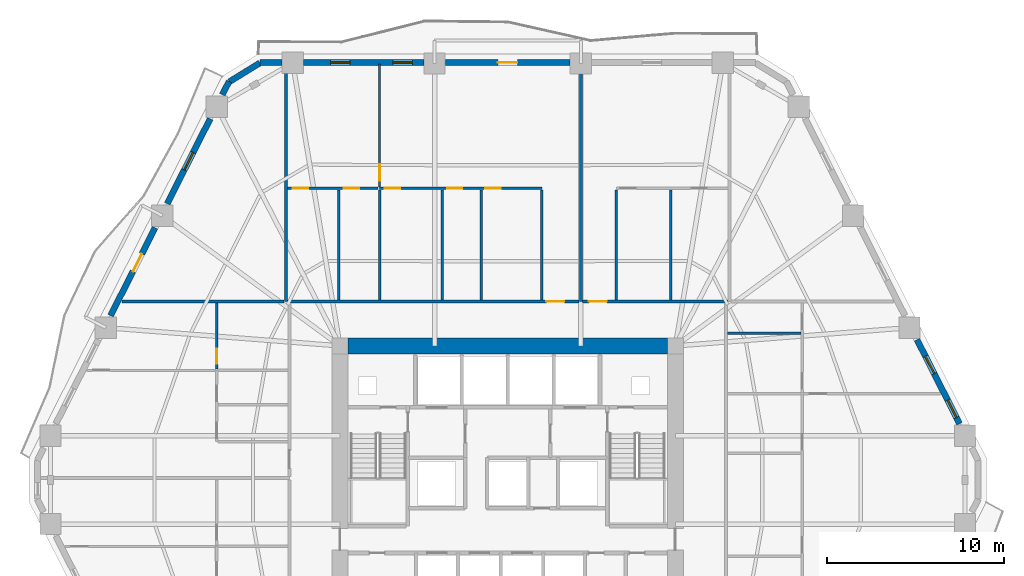
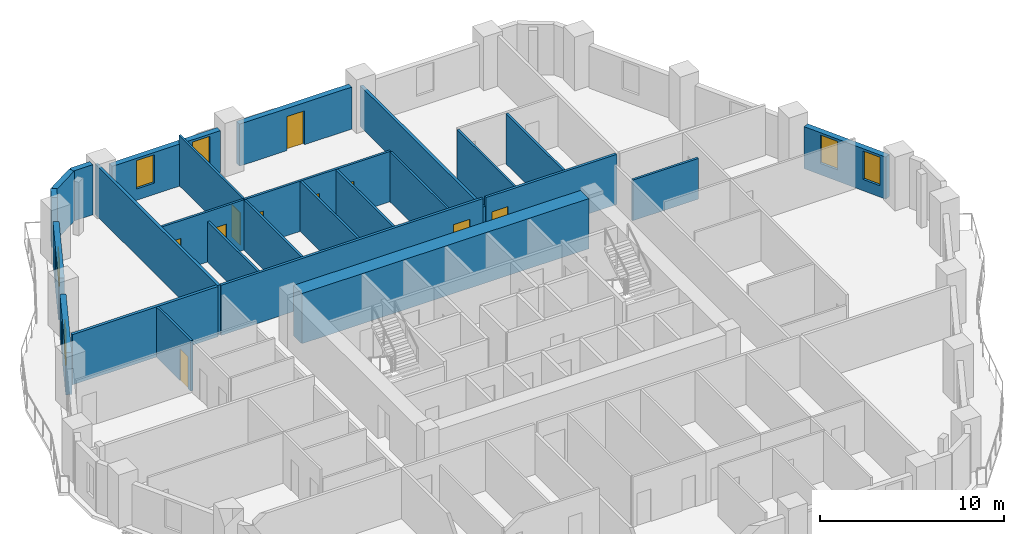
# One storey, part 7 of 12: 26 walls, 11 doors, 5 windows, 16 openings.
"""IFC4 building model written with IfcOpenShell, lengths in metres."""

from ifc_helpers import new_model, si_unit, direction, frame, frame_2d, origin, place, context, subcontext, project, spatial, rectangle, extrude, material, layer, layer_set, type_object, element, fill, save


model = new_model("IFC4")

# Units and contexts
model_context = context("Model", 3, precision=1e-05, world=origin(), true_north=direction((0.0, 1.0)))
body_context = subcontext(model_context, "Body", "Model", "MODEL_VIEW")
ifc_project = project(units=[si_unit("LENGTHUNIT", "METRE"), si_unit("AREAUNIT", "SQUARE_METRE"), si_unit("VOLUMEUNIT", "CUBIC_METRE"), si_unit("PLANEANGLEUNIT", "RADIAN"), si_unit("MASSUNIT", "GRAM", prefix="KILO")], contexts=[model_context])

# Site, building, storey
site_placement = place(None, origin())
site = spatial("IfcSite", under=ifc_project, at=site_placement, CompositionType="ELEMENT")
building_placement = place(site_placement, origin())
building = spatial("IfcBuilding", under=site, at=building_placement, Name="Cinnabar Lancet Tower", CompositionType="ELEMENT")
storey_placement = place(building_placement, frame((0.0, 0.0, 28.449951171875)))
storey = spatial("IfcBuildingStorey", under=building, at=storey_placement, Name="L06", CompositionType="ELEMENT", Elevation=28.449951171875)

# Wall, opening, door
ifc_material_1 = material(Name="Acoustic twin-stud gypsum partition", Category="gypsum")
ifc_layer_1 = layer(ifc_material_1, 0.159912109375)
ifc_layer_set_1 = layer_set([ifc_layer_1], Name="Acoustic twin-stud gypsum partition")
wall_type_1 = type_object("IfcWallType", Name="ARC-WL-CORR-160", PredefinedType="PARTITIONING", material=ifc_layer_set_1)
wall_1_placement = place(storey_placement, frame((19.9951171875, 35.85009765625, 0.0), z_axis=(0.0, 0.0, 1.0), x_axis=(1.0, 0.0, 0.0)))
wall_1 = element("IfcWall", 1, at=wall_1_placement, inside=storey, type_object=wall_type_1, Name="L06 Unit N01 Corridor Wall", PredefinedType="PARTITIONING", context=body_context, shape_type="SweptSolid", body=[
    extrude(rectangle(XDim=16.431884765625, YDim=0.159912109375, at=frame_2d((8.2158203125, 0.0))), origin(), (0.0, 0.0, 1.0), 3.330078125),
])
opening_1_placement = place(wall_1_placement, frame((14.576904296875, 0.0, 0.0)))
opening_1 = element("IfcOpeningElement", 2, at=opening_1_placement, cuts=wall_1, Name="Opening UD-01", PredefinedType="OPENING", context=body_context, shape_type="SweptSolid", body=[
    extrude(rectangle(XDim=1.02001953125, YDim=2.25, at=frame_2d((0.510009765625, 1.125))), frame((0.0, 0.08984375, 0.0), z_axis=(0.0, -1.0, 0.0), x_axis=(1.0, 0.0, 0.0)), (0.0, 0.0, 1.0), 0.179931640625),
])
ifc_material_2 = material(Name="Solid timber fire-rated apartment entrance door", Category="wood")
door_type_1 = type_object("IfcDoorType", Name="ARC-DR-UNIT", OperationType="NOTDEFINED", PredefinedType="DOOR", material=ifc_material_2)
door_1_placement = place(opening_1_placement, origin())
door_1 = element("IfcDoor", 3, at=door_1_placement, inside=storey, type_object=door_type_1, Name="DR-L06-N01-ENT", OperationType="SINGLE_SWING_LEFT", OverallHeight=2.25, OverallWidth=1.02001953125, PredefinedType="DOOR", context=body_context, shape_type="SweptSolid", body=[
    extrude(rectangle(XDim=1.02001953125, YDim=2.25, at=frame_2d((0.510009765625, 1.125))), frame((0.0, 0.02490234375, 0.0), z_axis=(0.0, -1.0, 0.0), x_axis=(1.0, 0.0, 0.0)), (0.0, 0.0, 1.0), 0.050048828125),
])
fill(opening_1, door_1)

wall_2_placement = place(storey_placement, frame((36.616943359375, 35.85009765625, 0.0), z_axis=(0.0, 0.0, 1.0), x_axis=(1.0, 0.0, 0.0)))
wall_2 = element("IfcWall", 4, at=wall_2_placement, inside=storey, type_object=wall_type_1, Name="L06 Unit N02 Corridor Wall", PredefinedType="PARTITIONING", context=body_context, shape_type="SweptSolid", body=[
    extrude(rectangle(XDim=8.18798828125, YDim=0.159912109375, at=frame_2d((4.093994140625, 0.0))), origin(), (0.0, 0.0, 1.0), 3.330078125),
])
opening_2_placement = place(wall_2_placement, frame((0.35498046875, 0.0, 0.0)))
opening_2 = element("IfcOpeningElement", 5, at=opening_2_placement, cuts=wall_2, Name="Opening UD-01", PredefinedType="OPENING", context=body_context, shape_type="SweptSolid", body=[
    extrude(rectangle(XDim=1.02001953125, YDim=2.25, at=frame_2d((0.510009765625, 1.125))), frame((0.0, 0.08984375, 0.0), z_axis=(0.0, -1.0, 0.0), x_axis=(1.0, 0.0, 0.0)), (0.0, 0.0, 1.0), 0.179931640625),
])
door_2_placement = place(opening_2_placement, origin())
door_2 = element("IfcDoor", 6, at=door_2_placement, inside=storey, type_object=door_type_1, Name="DR-L06-N02-ENT", OperationType="SINGLE_SWING_RIGHT", OverallHeight=2.25, OverallWidth=1.02001953125, PredefinedType="DOOR", context=body_context, shape_type="SweptSolid", body=[
    extrude(rectangle(XDim=1.02001953125, YDim=2.25, at=frame_2d((0.510009765625, 1.125))), frame((0.0, 0.02490234375, 0.0), z_axis=(0.0, -1.0, 0.0), x_axis=(1.0, 0.0, 0.0)), (0.0, 0.0, 1.0), 0.050048828125),
])
fill(opening_2, door_2)

# Walls
ifc_material_3 = material(Name="Fire-rated twin-frame acoustic drywall", Category="gypsum")
ifc_layer_2 = layer(ifc_material_3, 0.179931640625)
ifc_layer_set_2 = layer_set([ifc_layer_2], Name="Fire-rated twin-frame acoustic drywall")
wall_type_2 = type_object("IfcWallType", Name="ARC-WL-PARTY-180", PredefinedType="PARTITIONING", material=ifc_layer_set_2)
wall_3_placement = place(storey_placement, frame((19.89990234375, 35.85009765625, 0.0), z_axis=(0.0, 0.0, 1.0), x_axis=(0.0, 1.0, 0.0)))
element("IfcWall", 7, at=wall_3_placement, inside=storey, type_object=wall_type_2, Name="PW-L06-NPTY-199", PredefinedType="PARTITIONING", context=body_context, shape_type="SweptSolid", body=[
    extrude(rectangle(XDim=13.294921875, YDim=0.179931640625, at=frame_2d((6.6474609375, 0.0))), origin(), (0.0, 0.0, 1.0), 3.330078125),
])
wall_4_placement = place(storey_placement, frame((36.52197265625, 35.85009765625, 0.0), z_axis=(0.0, 0.0, 1.0), x_axis=(0.0, 1.0, 0.0)))
element("IfcWall", 8, at=wall_4_placement, inside=storey, type_object=wall_type_2, Name="PW-L06-NPTY-365", PredefinedType="PARTITIONING", context=body_context, shape_type="SweptSolid", body=[
    extrude(rectangle(XDim=13.294921875, YDim=0.179931640625, at=frame_2d((6.6474609375, 0.0))), origin(), (0.0, 0.0, 1.0), 2.699951171875),
])
wall_5_placement = place(storey_placement, frame((10.6650390625, 35.85009765625, 0.0), z_axis=(0.0, 0.0, 1.0), x_axis=(1.0, 0.0, 0.0)))
element("IfcWall", 9, at=wall_5_placement, inside=storey, type_object=wall_type_2, Name="PW-L06-WNB", PredefinedType="PARTITIONING", context=body_context, shape_type="SweptSolid", body=[
    extrude(rectangle(XDim=9.139892578125, YDim=0.179931640625, at=frame_2d((4.56982421875, 0.0))), origin(), (0.0, 0.0, 1.0), 3.330078125),
])
ifc_material_4 = material(Name="Gypsum plasterboard stud partition", Category="gypsum")
ifc_layer_3 = layer(ifc_material_4, 0.125)
ifc_layer_set_3 = layer_set([ifc_layer_3], Name="Gypsum plasterboard stud partition")
wall_type_3 = type_object("IfcWallType", Name="ARC-WL-UNIT-125", PredefinedType="PARTITIONING", material=ifc_layer_set_3)
wall_6_placement = place(storey_placement, frame((34.322021484375, 35.93505859375, 0.0), z_axis=(0.0, 0.0, 1.0), x_axis=(0.0, 1.0, 0.0)))
element("IfcWall", 10, at=wall_6_placement, inside=storey, type_object=wall_type_3, Name="UW-L06-N01-FOYW", PredefinedType="PARTITIONING", context=body_context, shape_type="SweptSolid", body=[
    extrude(rectangle(XDim=6.19189453125, YDim=0.125, at=frame_2d((3.095947265625, 0.0))), origin(), (0.0, 0.0, 1.0), 3.330078125),
])

# Wall, opening, door
wall_7_placement = place(storey_placement, frame((25.179931640625, 42.306884765625, 0.0), z_axis=(0.0, 0.0, 1.0), x_axis=(0.0, 1.0, 0.0)))
wall_7 = element("IfcWall", 11, at=wall_7_placement, inside=storey, type_object=wall_type_3, Name="UW-L06-N01-MBW", PredefinedType="PARTITIONING", context=body_context, shape_type="SweptSolid", body=[
    extrude(rectangle(XDim=6.92822265625, YDim=0.125, at=frame_2d((3.464111328125, 0.0))), origin(), (0.0, 0.0, 1.0), 3.330078125),
])
opening_3_placement = place(wall_7_placement, frame((0.35009765625, 0.0, 0.0)))
opening_3 = element("IfcOpeningElement", 12, at=opening_3_placement, cuts=wall_7, Name="Opening RD-01", PredefinedType="OPENING", context=body_context, shape_type="SweptSolid", body=[
    extrude(rectangle(XDim=0.919921875, YDim=2.14990234375, at=frame_2d((0.4599609375, 1.074951171875))), frame((0.0, 0.072509765625, 0.0), z_axis=(0.0, -1.0, 0.0), x_axis=(1.0, 0.0, 0.0)), (0.0, 0.0, 1.0), 0.14501953125),
])
ifc_material_5 = material(Name="Engineered timber bedroom door", Category="wood")
door_type_2 = type_object("IfcDoorType", Name="ARC-DR-ROOM", OperationType="NOTDEFINED", PredefinedType="DOOR", material=ifc_material_5)
door_3_placement = place(opening_3_placement, origin())
door_3 = element("IfcDoor", 13, at=door_3_placement, inside=storey, type_object=door_type_2, Name="DR-L06-N01-MBD", OperationType="SINGLE_SWING_RIGHT", OverallHeight=2.14990234375, OverallWidth=0.919921875, PredefinedType="DOOR", context=body_context, shape_type="SweptSolid", body=[
    extrude(rectangle(XDim=0.919921875, YDim=2.14990234375, at=frame_2d((0.4599609375, 1.074951171875))), frame((0.0, 0.02490234375, 0.0), z_axis=(0.0, -1.0, 0.0), x_axis=(1.0, 0.0, 0.0)), (0.0, 0.0, 1.0), 0.050048828125),
])
fill(opening_3, door_3)

# Wall
wall_8_placement = place(storey_placement, frame((38.52197265625, 35.93505859375, 0.0), z_axis=(0.0, 0.0, 1.0), x_axis=(0.0, 1.0, 0.0)))
element("IfcWall", 14, at=wall_8_placement, inside=storey, type_object=wall_type_3, Name="UW-L06-N02-FOYE", PredefinedType="PARTITIONING", context=body_context, shape_type="SweptSolid", body=[
    extrude(rectangle(XDim=6.19189453125, YDim=0.125, at=frame_2d((3.095947265625, 0.0))), origin(), (0.0, 0.0, 1.0), 3.330078125),
])

# Wall, openings, doors
ifc_material_6 = material(Name="Moisture-resistant cement-board plumbing wall", Category="masonry")
ifc_layer_4 = layer(ifc_material_6, 0.139892578125)
ifc_layer_set_4 = layer_set([ifc_layer_4], Name="Moisture-resistant cement-board plumbing wall")
wall_type_4 = type_object("IfcWallType", Name="ARC-WL-WET-140", PredefinedType="PLUMBINGWALL", material=ifc_layer_set_4)
wall_9_placement = place(storey_placement, frame((25.179931640625, 42.23193359375, 0.0), z_axis=(0.0, 0.0, 1.0), x_axis=(1.0, 0.0, 0.0)))
wall_9 = element("IfcWall", 15, at=wall_9_placement, inside=storey, type_object=wall_type_4, Name="UW-L06-N01-SPL", PredefinedType="PLUMBINGWALL", context=body_context, shape_type="SweptSolid", body=[
    extrude(rectangle(XDim=9.14208984375, YDim=0.139892578125, at=frame_2d((4.571044921875, 0.0))), origin(), (0.0, 0.0, 1.0), 3.330078125),
])
opening_4_placement = place(wall_9_placement, frame((0.280029296875, 0.0, 0.0)))
opening_4 = element("IfcOpeningElement", 16, at=opening_4_placement, cuts=wall_9, Name="Opening RD-02", PredefinedType="OPENING", context=body_context, shape_type="SweptSolid", body=[
    extrude(rectangle(XDim=0.8798828125, YDim=2.14990234375, at=frame_2d((0.43994140625, 1.074951171875))), frame((0.0, 0.079833984375, 0.0), z_axis=(0.0, -1.0, 0.0), x_axis=(1.0, 0.0, 0.0)), (0.0, 0.0, 1.0), 0.159912109375),
])
opening_5_placement = place(wall_9_placement, frame((3.803955078125, 0.0, 0.0)))
opening_5 = element("IfcOpeningElement", 17, at=opening_5_placement, cuts=wall_9, Name="Opening BD-01", PredefinedType="OPENING", context=body_context, shape_type="SweptSolid", body=[
    extrude(rectangle(XDim=0.860107421875, YDim=2.10009765625, at=frame_2d((0.43017578125, 1.050048828125))), frame((0.0, 0.079833984375, 0.0), z_axis=(0.0, -1.0, 0.0), x_axis=(1.0, 0.0, 0.0)), (0.0, 0.0, 1.0), 0.159912109375),
])
opening_6_placement = place(wall_9_placement, frame((5.94189453125, 0.0, 0.0)))
opening_6 = element("IfcOpeningElement", 18, at=opening_6_placement, cuts=wall_9, Name="Opening RD-02", PredefinedType="OPENING", context=body_context, shape_type="SweptSolid", body=[
    extrude(rectangle(XDim=0.8798828125, YDim=2.14990234375, at=frame_2d((0.43994140625, 1.074951171875))), frame((0.0, 0.079833984375, 0.0), z_axis=(0.0, -1.0, 0.0), x_axis=(1.0, 0.0, 0.0)), (0.0, 0.0, 1.0), 0.159912109375),
])
ifc_material_7 = material(Name="Moisture-resistant timber bathroom door", Category="wood")
door_type_3 = type_object("IfcDoorType", Name="ARC-DR-BATH", OperationType="NOTDEFINED", PredefinedType="DOOR", material=ifc_material_7)
door_4_placement = place(opening_5_placement, origin())
door_4 = element("IfcDoor", 19, at=door_4_placement, inside=storey, type_object=door_type_3, Name="DR-L06-N01-BTH", OperationType="SINGLE_SWING_LEFT", OverallHeight=2.10009765625, OverallWidth=0.860107421875, PredefinedType="DOOR", context=body_context, shape_type="SweptSolid", body=[
    extrude(rectangle(XDim=0.860107421875, YDim=2.10009765625, at=frame_2d((0.43017578125, 1.050048828125))), frame((0.0, 0.02490234375, 0.0), z_axis=(0.0, -1.0, 0.0), x_axis=(1.0, 0.0, 0.0)), (0.0, 0.0, 1.0), 0.050048828125),
])
fill(opening_5, door_4)
ifc_material_8 = material(Name="Engineered timber study door", Category="wood")
door_type_4 = type_object("IfcDoorType", Name="ARC-DR-STUDY", OperationType="NOTDEFINED", PredefinedType="DOOR", material=ifc_material_8)
door_5_placement = place(opening_4_placement, origin())
door_5 = element("IfcDoor", 20, at=door_5_placement, inside=storey, type_object=door_type_4, Name="DR-L06-N01-BTH-WDR", OperationType="SINGLE_SWING_RIGHT", OverallHeight=2.14990234375, OverallWidth=0.8798828125, PredefinedType="DOOR", context=body_context, shape_type="SweptSolid", body=[
    extrude(rectangle(XDim=0.8798828125, YDim=2.14990234375, at=frame_2d((0.43994140625, 1.074951171875))), frame((0.0, 0.02490234375, 0.0), z_axis=(0.0, -1.0, 0.0), x_axis=(1.0, 0.0, 0.0)), (0.0, 0.0, 1.0), 0.050048828125),
])
fill(opening_4, door_5)
door_6_placement = place(opening_6_placement, origin())
door_6 = element("IfcDoor", 21, at=door_6_placement, inside=storey, type_object=door_type_4, Name="DR-L06-N01-KIT", OperationType="SINGLE_SWING_LEFT", OverallHeight=2.14990234375, OverallWidth=0.8798828125, PredefinedType="DOOR", context=body_context, shape_type="SweptSolid", body=[
    extrude(rectangle(XDim=0.8798828125, YDim=2.14990234375, at=frame_2d((0.43994140625, 1.074951171875))), frame((0.0, 0.02490234375, 0.0), z_axis=(0.0, -1.0, 0.0), x_axis=(1.0, 0.0, 0.0)), (0.0, 0.0, 1.0), 0.050048828125),
])
fill(opening_6, door_6)

wall_10_placement = place(storey_placement, frame((19.9951171875, 42.23193359375, 0.0), z_axis=(0.0, 0.0, 1.0), x_axis=(1.0, 0.0, 0.0)))
wall_10 = element("IfcWall", 22, at=wall_10_placement, inside=storey, type_object=wall_type_4, Name="UW-L06-N01-SPM", PredefinedType="PLUMBINGWALL", context=body_context, shape_type="SweptSolid", body=[
    extrude(rectangle(XDim=5.10986328125, YDim=0.139892578125, at=frame_2d((2.554931640625, 0.0))), origin(), (0.0, 0.0, 1.0), 3.330078125),
])
opening_7_placement = place(wall_10_placement, frame((0.280029296875, 0.0, 0.0)))
opening_7 = element("IfcOpeningElement", 23, at=opening_7_placement, cuts=wall_10, Name="Opening RD-02", PredefinedType="OPENING", context=body_context, shape_type="SweptSolid", body=[
    extrude(rectangle(XDim=0.8798828125, YDim=2.14990234375, at=frame_2d((0.43994140625, 1.074951171875))), frame((0.0, 0.079833984375, 0.0), z_axis=(0.0, -1.0, 0.0), x_axis=(1.0, 0.0, 0.0)), (0.0, 0.0, 1.0), 0.159912109375),
])
opening_8_placement = place(wall_10_placement, frame((3.172119140625, 0.0, 0.0)))
opening_8 = element("IfcOpeningElement", 24, at=opening_8_placement, cuts=wall_10, Name="Opening BD-01", PredefinedType="OPENING", context=body_context, shape_type="SweptSolid", body=[
    extrude(rectangle(XDim=0.860107421875, YDim=2.10009765625, at=frame_2d((0.43017578125, 1.050048828125))), frame((0.0, 0.079833984375, 0.0), z_axis=(0.0, -1.0, 0.0), x_axis=(1.0, 0.0, 0.0)), (0.0, 0.0, 1.0), 0.159912109375),
])
door_7_placement = place(opening_8_placement, origin())
door_7 = element("IfcDoor", 25, at=door_7_placement, inside=storey, type_object=door_type_3, Name="DR-L06-N01-ENS", OperationType="SINGLE_SWING_RIGHT", OverallHeight=2.10009765625, OverallWidth=0.860107421875, PredefinedType="DOOR", context=body_context, shape_type="SweptSolid", body=[
    extrude(rectangle(XDim=0.860107421875, YDim=2.10009765625, at=frame_2d((0.43017578125, 1.050048828125))), frame((0.0, 0.02490234375, 0.0), z_axis=(0.0, -1.0, 0.0), x_axis=(1.0, 0.0, 0.0)), (0.0, 0.0, 1.0), 0.050048828125),
])
fill(opening_8, door_7)
door_8_placement = place(opening_7_placement, origin())
door_8 = element("IfcDoor", 26, at=door_8_placement, inside=storey, type_object=door_type_4, Name="DR-L06-N01-ENS-WDR", OperationType="SINGLE_SWING_LEFT", OverallHeight=2.14990234375, OverallWidth=0.8798828125, PredefinedType="DOOR", context=body_context, shape_type="SweptSolid", body=[
    extrude(rectangle(XDim=0.8798828125, YDim=2.14990234375, at=frame_2d((0.43994140625, 1.074951171875))), frame((0.0, 0.02490234375, 0.0), z_axis=(0.0, -1.0, 0.0), x_axis=(1.0, 0.0, 0.0)), (0.0, 0.0, 1.0), 0.050048828125),
])
fill(opening_7, door_8)

# Walls
for number, where, z_axis, x_axis, name in (
    (27, (30.922119140625, 35.93505859375, 0.0), (0.0, 0.0, 1.0), (0.0, 1.0, 0.0), "UW-L06-N01-KBD"),
    (28, (25.179931640625, 35.93505859375, 0.0), (0.0, 0.0, 1.0), (0.0, 1.0, 0.0), "UW-L06-N01-ENSW"),
):
    element("IfcWall", number, at=place(storey_placement, frame(where, z_axis=z_axis, x_axis=x_axis)), inside=storey, type_object=wall_type_4, Name=name, PredefinedType="PLUMBINGWALL", context=body_context, shape_type="SweptSolid", body=[
        extrude(rectangle(XDim=6.19189453125, YDim=0.139892578125, at=frame_2d((3.095947265625, 0.0))), origin(), (0.0, 0.0, 1.0), 3.330078125),
    ])
wall_11_placement = place(storey_placement, frame((28.7041015625, 35.93505859375, 0.0), z_axis=(0.0, 0.0, 1.0), x_axis=(0.0, 1.0, 0.0)))
element("IfcWall", 29, at=wall_11_placement, inside=storey, type_object=wall_type_4, Name="UW-L06-N01-BTH-WDV", PredefinedType="PLUMBINGWALL", context=body_context, shape_type="SweptSolid", body=[
    extrude(rectangle(XDim=6.2119140625, YDim=0.139892578125, at=frame_2d((3.10595703125, 0.0))), origin(), (0.0, 0.0, 1.0), 3.330078125),
])
wall_12_placement = place(storey_placement, frame((22.886962890625, 35.93505859375, 0.0), z_axis=(0.0, 0.0, 1.0), x_axis=(0.0, 1.0, 0.0)))
element("IfcWall", 30, at=wall_12_placement, inside=storey, type_object=wall_type_4, Name="UW-L06-N01-ENS-WDV", PredefinedType="PLUMBINGWALL", context=body_context, shape_type="SweptSolid", body=[
    extrude(rectangle(XDim=6.2119140625, YDim=0.139892578125, at=frame_2d((3.10595703125, 0.0))), origin(), (0.0, 0.0, 1.0), 2.699951171875),
])
wall_13_placement = place(storey_placement, frame((41.5830078125, 35.93505859375, 0.0), z_axis=(0.0, 0.0, 1.0), x_axis=(0.0, 1.0, 0.0)))
element("IfcWall", 31, at=wall_13_placement, inside=storey, type_object=wall_type_4, Name="UW-L06-N02-KDV", PredefinedType="PLUMBINGWALL", context=body_context, shape_type="SweptSolid", body=[
    extrude(rectangle(XDim=6.19189453125, YDim=0.139892578125, at=frame_2d((3.095947265625, 0.0))), origin(), (0.0, 0.0, 1.0), 3.330078125),
])

# Wall, opening, door
wall_14_placement = place(storey_placement, frame((16.0, 32.0400390625, 0.0), z_axis=(0.0, 0.0, 1.0), x_axis=(0.0, 1.0, 0.0)))
wall_14 = element("IfcWall", 32, at=wall_14_placement, inside=storey, type_object=wall_type_4, Name="UW-L06-W02-SPM", PredefinedType="PLUMBINGWALL", context=body_context, shape_type="SweptSolid", body=[
    extrude(rectangle(XDim=3.71484375, YDim=0.139892578125, at=frame_2d((1.857421875, 0.0))), origin(), (0.0, 0.0, 1.0), 3.330078125),
])
opening_9_placement = place(wall_14_placement, frame((0.300048828125, 0.0, 0.0)))
opening_9 = element("IfcOpeningElement", 33, at=opening_9_placement, cuts=wall_14, Name="Opening BD-01", PredefinedType="OPENING", context=body_context, shape_type="SweptSolid", body=[
    extrude(rectangle(XDim=0.860107421875, YDim=2.10009765625, at=frame_2d((0.43017578125, 1.050048828125))), frame((0.0, 0.079833984375, 0.0), z_axis=(0.0, -1.0, 0.0), x_axis=(1.0, 0.0, 0.0)), (0.0, 0.0, 1.0), 0.159912109375),
])
door_9_placement = place(opening_9_placement, origin())
door_9 = element("IfcDoor", 34, at=door_9_placement, inside=storey, type_object=door_type_3, Name="DR-L06-W02-ENS", OperationType="SINGLE_SWING_LEFT", OverallHeight=2.10009765625, OverallWidth=0.860107421875, PredefinedType="DOOR", context=body_context, shape_type="SweptSolid", body=[
    extrude(rectangle(XDim=0.860107421875, YDim=2.10009765625, at=frame_2d((0.43017578125, 1.050048828125))), frame((0.0, 0.02490234375, 0.0), z_axis=(0.0, -1.0, 0.0), x_axis=(1.0, 0.0, 0.0)), (0.0, 0.0, 1.0), 0.050048828125),
])
fill(opening_9, door_9)

# Walls
wall_15_placement = place(storey_placement, frame((44.784912109375, 34.069091796875, 0.0), z_axis=(0.0, 0.0, 1.0), x_axis=(1.0, 0.0, 0.0)))
element("IfcWall", 35, at=wall_15_placement, inside=storey, type_object=wall_type_4, Name="UW-L06-E01-EWDV", PredefinedType="PLUMBINGWALL", context=body_context, shape_type="SweptSolid", body=[
    extrude(rectangle(XDim=4.130126953125, YDim=0.139892578125, at=frame_2d((2.06494140625, 0.0))), origin(), (0.0, 0.0, 1.0), 2.699951171875),
])
ifc_material_9 = material(Name="Cinnabar red clay brick", Category="masonry")
ifc_layer_5 = layer(ifc_material_9, 0.340087890625)
ifc_layer_set_5 = layer_set([ifc_layer_5], Name="Cinnabar red clay brick")
wall_type_5 = type_object("IfcWallType", Name="ENV-WL-BRK-RED-340", PredefinedType="STANDARD", material=ifc_layer_set_5)
wall_16_placement = place(storey_placement, frame((18.43896484375, 49.294921875, 0.0), z_axis=(0.0, 0.0, 1.0), x_axis=(-0.851870104345, -0.523753114857, 0.0)))
element("IfcWall", 36, at=wall_16_placement, inside=storey, type_object=wall_type_5, Name="L06 Chamfered Corner Brick Pier 5.1", PredefinedType="STANDARD", context=body_context, shape_type="SweptSolid", body=[
    extrude(rectangle(XDim=2.017822265625, YDim=0.340087890625, at=frame_2d((1.0087890625, 0.0))), origin(), (0.0, 0.0, 1.0), 3.330078125),
])

# Wall, openings, windows
wall_17_placement = place(storey_placement, frame((57.860107421875, 28.967041015625, 0.0), z_axis=(0.0, 0.0, 1.0), x_axis=(-0.451590635984, 0.892225250422, 0.0)))
wall_17 = element("IfcWall", 37, at=wall_17_placement, inside=storey, type_object=wall_type_5, Name="L06 Face 3 Masonry Bay Wall 2", PredefinedType="STANDARD", context=body_context, shape_type="SweptSolid", body=[
    extrude(rectangle(XDim=5.303466796875, YDim=0.340087890625, at=frame_2d((2.65185546875, 0.0))), origin(), (0.0, 0.0, 1.0), 2.787109375),
])
opening_10_placement = place(wall_17_placement, frame((0.384033203125, 0.0, 0.75)))
opening_10 = element("IfcOpeningElement", 38, at=opening_10_placement, cuts=wall_17, Name="Opening WN-04", PredefinedType="OPENING", context=body_context, shape_type="SweptSolid", body=[
    extrude(rectangle(XDim=1.10009765625, YDim=1.886962890625, at=frame_2d((0.550048828125, 0.943359375))), frame((0.0, 0.179931640625, 0.0), z_axis=(0.0, -1.0, 0.0), x_axis=(1.0, 0.0, 0.0)), (0.0, 0.0, 1.0), 0.360107421875),
])
opening_11_placement = place(wall_17_placement, frame((3.156005859375, 0.0, 0.75)))
opening_11 = element("IfcOpeningElement", 39, at=opening_11_placement, cuts=wall_17, Name="Opening WN-04", PredefinedType="OPENING", context=body_context, shape_type="SweptSolid", body=[
    extrude(rectangle(XDim=1.10009765625, YDim=1.886962890625, at=frame_2d((0.550048828125, 0.943359375))), frame((0.0, 0.179931640625, 0.0), z_axis=(0.0, -1.0, 0.0), x_axis=(1.0, 0.0, 0.0)), (0.0, 0.0, 1.0), 0.360107421875),
])
ifc_material_10 = material(Name="Thermally broken bronze-anodized aluminium tall lancet window", Category="aluminium")
window_type = type_object("IfcWindowType", Name="ENV-WN-LANCET-1100", PartitioningType="SINGLE_PANEL", PredefinedType="WINDOW", material=ifc_material_10)
window_1_placement = place(opening_10_placement, origin())
window_1 = element("IfcWindow", 40, at=window_1_placement, inside=storey, type_object=window_type, Name="L06 Face 3 Gothic Lancet Window 2", OverallHeight=1.886962890625, OverallWidth=1.10009765625, PartitioningType="SINGLE_PANEL", PredefinedType="WINDOW", context=body_context, shape_type="SweptSolid", body=[
    extrude(rectangle(XDim=1.10009765625, YDim=1.886962890625, at=frame_2d((0.550048828125, 0.943359375))), frame((0.0, 0.030029296875, 0.0), z_axis=(0.0, -1.0, 0.0), x_axis=(1.0, 0.0, 0.0)), (0.0, 0.0, 1.0), 0.06005859375),
])
fill(opening_10, window_1)
window_2_placement = place(opening_11_placement, origin())
window_2 = element("IfcWindow", 41, at=window_2_placement, inside=storey, type_object=window_type, Name="L06 Split-Bay Gothic Lancet Window 5", OverallHeight=1.886962890625, OverallWidth=1.10009765625, PartitioningType="SINGLE_PANEL", PredefinedType="WINDOW", context=body_context, shape_type="SweptSolid", body=[
    extrude(rectangle(XDim=1.10009765625, YDim=1.886962890625, at=frame_2d((0.550048828125, 0.943359375))), frame((0.0, 0.030029296875, 0.0), z_axis=(0.0, -1.0, 0.0), x_axis=(1.0, 0.0, 0.0)), (0.0, 0.0, 1.0), 0.06005859375),
])
fill(opening_11, window_2)

# Wall, opening, door
wall_18_placement = place(storey_placement, frame((35.91796875, 49.320068359375, 0.0), z_axis=(0.0, 0.0, 1.0), x_axis=(-1.0, 0.0, 0.0)))
wall_18 = element("IfcWall", 42, at=wall_18_placement, inside=storey, type_object=wall_type_5, Name="L06 Face 4 Masonry Bay Wall 3", PredefinedType="STANDARD", context=body_context, shape_type="SweptSolid", body=[
    extrude(rectangle(XDim=7.035888671875, YDim=0.340087890625, at=frame_2d((3.51806640625, 0.0))), origin(), (0.0, 0.0, 1.0), 2.787109375),
])
opening_12_placement = place(wall_18_placement, frame((2.968017578125, 0.0, 0.0)))
opening_12 = element("IfcOpeningElement", 43, at=opening_12_placement, cuts=wall_18, Name="Opening TD-01", PredefinedType="OPENING", context=body_context, shape_type="SweptSolid", body=[
    extrude(rectangle(XDim=1.10009765625, YDim=2.25, at=frame_2d((0.550048828125, 1.125))), frame((0.0, 0.179931640625, 0.0), z_axis=(0.0, -1.0, 0.0), x_axis=(1.0, 0.0, 0.0)), (0.0, 0.0, 1.0), 0.360107421875),
])
ifc_material_11 = material(Name="Thermally broken low-E glazed balcony terrace door", Category="wood")
door_type_5 = type_object("IfcDoorType", Name="ARC-DR-BALC", OperationType="NOTDEFINED", PredefinedType="DOOR", material=ifc_material_11)
door_10_placement = place(opening_12_placement, origin())
door_10 = element("IfcDoor", 44, at=door_10_placement, inside=storey, type_object=door_type_5, Name="L06 Face 4 Glazed Terrace Door", OperationType="SINGLE_SWING_LEFT", OverallHeight=2.25, OverallWidth=1.10009765625, PredefinedType="DOOR", context=body_context, shape_type="SweptSolid", body=[
    extrude(rectangle(XDim=1.10009765625, YDim=2.25, at=frame_2d((0.550048828125, 1.125))), frame((0.0, 0.02490234375, 0.0), z_axis=(0.0, -1.0, 0.0), x_axis=(1.0, 0.0, 0.0)), (0.0, 0.0, 1.0), 0.050048828125),
])
fill(opening_12, door_10)

# Wall, openings, windows
wall_19_placement = place(storey_placement, frame((27.674072265625, 49.320068359375, 0.0), z_axis=(0.0, 0.0, 1.0), x_axis=(-1.0, 0.0, 0.0)))
wall_19 = element("IfcWall", 45, at=wall_19_placement, inside=storey, type_object=wall_type_5, Name="L06 Face 4 Masonry Bay Wall 4", PredefinedType="STANDARD", context=body_context, shape_type="SweptSolid", body=[
    extrude(rectangle(XDim=6.787109375, YDim=0.340087890625, at=frame_2d((3.3935546875, 0.0))), origin(), (0.0, 0.0, 1.0), 2.787109375),
])
opening_13_placement = place(wall_19_placement, frame((0.64111328125, 0.0, 0.75)))
opening_13 = element("IfcOpeningElement", 46, at=opening_13_placement, cuts=wall_19, Name="Opening WN-04", PredefinedType="OPENING", context=body_context, shape_type="SweptSolid", body=[
    extrude(rectangle(XDim=1.10009765625, YDim=1.886962890625, at=frame_2d((0.550048828125, 0.943359375))), frame((0.0, 0.179931640625, 0.0), z_axis=(0.0, -1.0, 0.0), x_axis=(1.0, 0.0, 0.0)), (0.0, 0.0, 1.0), 0.360107421875),
])
opening_14_placement = place(wall_19_placement, frame((4.14697265625, 0.0, 0.75)))
opening_14 = element("IfcOpeningElement", 47, at=opening_14_placement, cuts=wall_19, Name="Opening WN-04", PredefinedType="OPENING", context=body_context, shape_type="SweptSolid", body=[
    extrude(rectangle(XDim=1.10009765625, YDim=1.886962890625, at=frame_2d((0.550048828125, 0.943359375))), frame((0.0, 0.179931640625, 0.0), z_axis=(0.0, -1.0, 0.0), x_axis=(1.0, 0.0, 0.0)), (0.0, 0.0, 1.0), 0.360107421875),
])
window_3_placement = place(opening_13_placement, origin())
window_3 = element("IfcWindow", 48, at=window_3_placement, inside=storey, type_object=window_type, Name="L06 Face 4 Gothic Lancet Window 4", OverallHeight=1.886962890625, OverallWidth=1.10009765625, PartitioningType="SINGLE_PANEL", PredefinedType="WINDOW", context=body_context, shape_type="SweptSolid", body=[
    extrude(rectangle(XDim=1.10009765625, YDim=1.886962890625, at=frame_2d((0.550048828125, 0.943359375))), frame((0.0, 0.030029296875, 0.0), z_axis=(0.0, -1.0, 0.0), x_axis=(1.0, 0.0, 0.0)), (0.0, 0.0, 1.0), 0.06005859375),
])
fill(opening_13, window_3)
window_4_placement = place(opening_14_placement, origin())
window_4 = element("IfcWindow", 49, at=window_4_placement, inside=storey, type_object=window_type, Name="L06 Split-Bay Gothic Lancet Window 6", OverallHeight=1.886962890625, OverallWidth=1.10009765625, PartitioningType="SINGLE_PANEL", PredefinedType="WINDOW", context=body_context, shape_type="SweptSolid", body=[
    extrude(rectangle(XDim=1.10009765625, YDim=1.886962890625, at=frame_2d((0.550048828125, 0.943359375))), frame((0.0, 0.030029296875, 0.0), z_axis=(0.0, -1.0, 0.0), x_axis=(1.0, 0.0, 0.0)), (0.0, 0.0, 1.0), 0.06005859375),
])
fill(opening_14, window_4)

# Walls
wall_20_placement = place(storey_placement, frame((19.678955078125, 49.320068359375, 0.0), z_axis=(0.0, 0.0, 1.0), x_axis=(-1.0, 0.0, 0.0)))
element("IfcWall", 50, at=wall_20_placement, inside=storey, type_object=wall_type_5, Name="L06 Face 4 Masonry Bay Wall 5", PredefinedType="STANDARD", context=body_context, shape_type="SweptSolid", body=[
    extrude(rectangle(XDim=1.244873046875, YDim=0.340087890625, at=frame_2d((0.62255859375, 0.0))), origin(), (0.0, 0.0, 1.0), 3.330078125),
])
wall_21_placement = place(storey_placement, frame((16.699951171875, 48.25390625, 0.0), z_axis=(0.0, 0.0, 1.0), x_axis=(-0.451995771866, -0.892020079491, 0.0)))
element("IfcWall", 51, at=wall_21_placement, inside=storey, type_object=wall_type_5, Name="L06 Face 5 Masonry Bay Wall 1", PredefinedType="STANDARD", context=body_context, shape_type="SweptSolid", body=[
    extrude(rectangle(XDim=0.836181640625, YDim=0.340087890625, at=frame_2d((0.41796875, 0.0))), origin(), (0.0, 0.0, 1.0), 3.330078125),
])

# Wall, opening, window
wall_22_placement = place(storey_placement, frame((15.634033203125, 46.14599609375, 0.0), z_axis=(0.0, 0.0, 1.0), x_axis=(-0.451697561555, -0.892171123095, 0.0)))
wall_22 = element("IfcWall", 52, at=wall_22_placement, inside=storey, type_object=wall_type_5, Name="L06 Face 5 Masonry Bay Wall 2", PredefinedType="STANDARD", context=body_context, shape_type="SweptSolid", body=[
    extrude(rectangle(XDim=5.350830078125, YDim=0.340087890625, at=frame_2d((2.67529296875, 0.0))), origin(), (0.0, 0.0, 1.0), 2.787109375),
])
opening_15_placement = place(wall_22_placement, frame((2.125, 0.0, 0.75)))
opening_15 = element("IfcOpeningElement", 53, at=opening_15_placement, cuts=wall_22, Name="Opening WN-04", PredefinedType="OPENING", context=body_context, shape_type="SweptSolid", body=[
    extrude(rectangle(XDim=1.10009765625, YDim=1.886962890625, at=frame_2d((0.550048828125, 0.943359375))), frame((0.0, 0.179931640625, 0.0), z_axis=(0.0, -1.0, 0.0), x_axis=(1.0, 0.0, 0.0)), (0.0, 0.0, 1.0), 0.360107421875),
])
window_5_placement = place(opening_15_placement, origin())
window_5 = element("IfcWindow", 54, at=window_5_placement, inside=storey, type_object=window_type, Name="L06 Face 5 Gothic Lancet Window 2", OverallHeight=1.886962890625, OverallWidth=1.10009765625, PartitioningType="SINGLE_PANEL", PredefinedType="WINDOW", context=body_context, shape_type="SweptSolid", body=[
    extrude(rectangle(XDim=1.10009765625, YDim=1.886962890625, at=frame_2d((0.550048828125, 0.943359375))), frame((0.0, 0.030029296875, 0.0), z_axis=(0.0, -1.0, 0.0), x_axis=(1.0, 0.0, 0.0)), (0.0, 0.0, 1.0), 0.06005859375),
])
fill(opening_15, window_5)

# Wall, opening, door
wall_23_placement = place(storey_placement, frame((12.529052734375, 40.010009765625, 0.0), z_axis=(0.0, 0.0, 1.0), x_axis=(-0.451627137896, -0.892206774417, 0.0)))
wall_23 = element("IfcWall", 55, at=wall_23_placement, inside=storey, type_object=wall_type_5, Name="L06 Face 5 Masonry Bay Wall 3", PredefinedType="STANDARD", context=body_context, shape_type="SweptSolid", body=[
    extrude(rectangle(XDim=5.546875, YDim=0.340087890625, at=frame_2d((2.7734375, 0.0))), origin(), (0.0, 0.0, 1.0), 2.787109375),
])
opening_16_placement = place(wall_23_placement, frame((1.656005859375, 0.0, 0.0)))
opening_16 = element("IfcOpeningElement", 56, at=opening_16_placement, cuts=wall_23, Name="Opening TD-01", PredefinedType="OPENING", context=body_context, shape_type="SweptSolid", body=[
    extrude(rectangle(XDim=1.10009765625, YDim=2.25, at=frame_2d((0.550048828125, 1.125))), frame((0.0, 0.179931640625, 0.0), z_axis=(0.0, -1.0, 0.0), x_axis=(1.0, 0.0, 0.0)), (0.0, 0.0, 1.0), 0.360107421875),
])
door_11_placement = place(opening_16_placement, origin())
door_11 = element("IfcDoor", 57, at=door_11_placement, inside=storey, type_object=door_type_5, Name="L06 Face 5 Glazed Terrace Door", OperationType="SINGLE_SWING_RIGHT", OverallHeight=2.25, OverallWidth=1.10009765625, PredefinedType="DOOR", context=body_context, shape_type="SweptSolid", body=[
    extrude(rectangle(XDim=1.10009765625, YDim=2.25, at=frame_2d((0.550048828125, 1.125))), frame((0.0, 0.02490234375, 0.0), z_axis=(0.0, -1.0, 0.0), x_axis=(1.0, 0.0, 0.0)), (0.0, 0.0, 1.0), 0.050048828125),
])
fill(opening_16, door_11)

# Wall
ifc_material_12 = material(Name="Concrete C80/95", Category="concrete")
ifc_layer_6 = layer(ifc_material_12, 0.89990234375)
ifc_layer_set_6 = layer_set([ifc_layer_6], Name="Concrete C80/95")
wall_type_6 = type_object("IfcWallType", Name="STR-WL-CORE-900", PredefinedType="SHEAR", material=ifc_layer_set_6)
wall_24_placement = place(storey_placement, frame((23.39990234375, 33.35009765625, 0.0), z_axis=(0.0, 0.0, 1.0), x_axis=(1.0, 0.0, 0.0)))
element("IfcWall", 58, at=wall_24_placement, inside=storey, type_object=wall_type_6, Name="L06 Core Shear Wall N", PredefinedType="SHEAR", context=body_context, shape_type="SweptSolid", body=[
    extrude(rectangle(XDim=18.0, YDim=0.89990234375, at=frame_2d((9.0, 0.0))), origin(), (0.0, 0.0, 1.0), 3.330078125),
])

save(model, "model.ifc")
